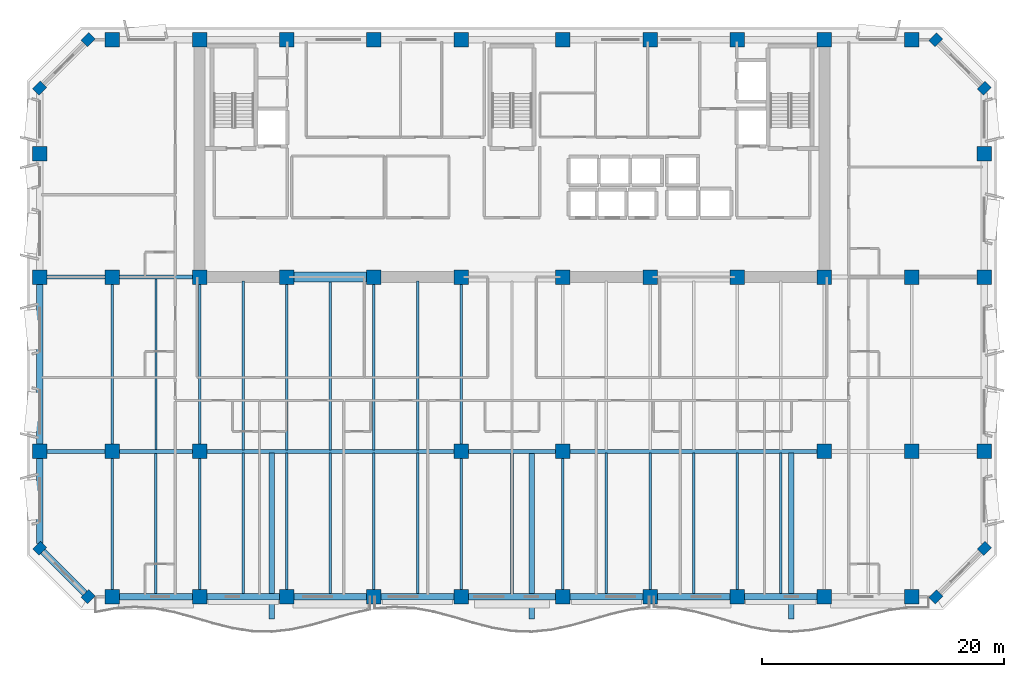
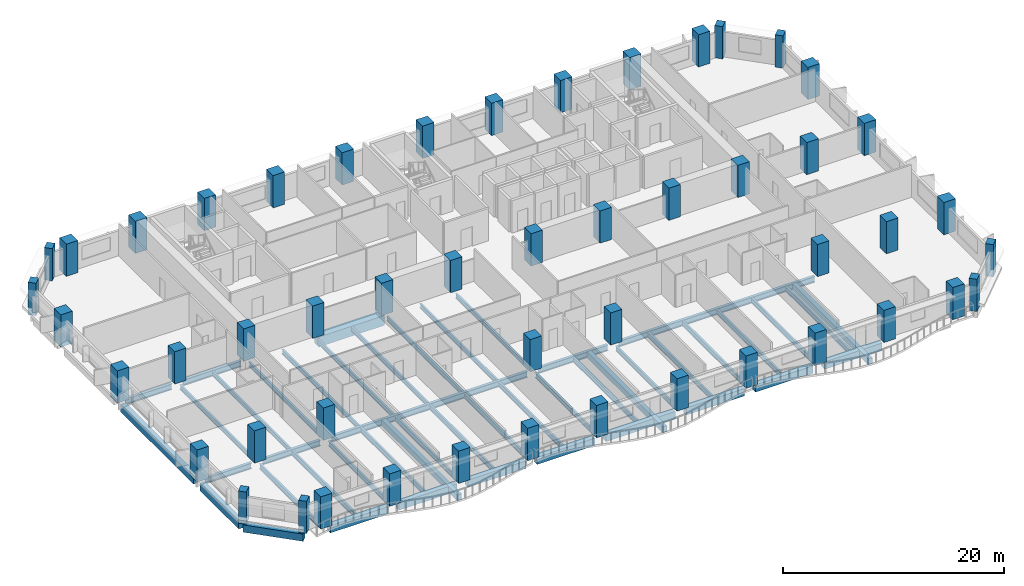
# One storey, part 1 of 14: 50 columns, 47 beams.
"""IFC4 building model written with IfcOpenShell, lengths in metres."""

from ifc_helpers import new_model, si_unit, direction, frame, origin, origin_2d, place, context, subcontext, project, spatial, rectangle, i_section, extrude, material, material_profile, profile_set, type_object, element, save


model = new_model("IFC4")

# Units and contexts
model_context = context("Model", 3, precision=1e-05, world=origin(), true_north=direction((0.0, 1.0)))
body_context = subcontext(model_context, "Body", "Model", "MODEL_VIEW")
ifc_project = project(units=[si_unit("LENGTHUNIT", "METRE"), si_unit("AREAUNIT", "SQUARE_METRE"), si_unit("VOLUMEUNIT", "CUBIC_METRE"), si_unit("PLANEANGLEUNIT", "RADIAN"), si_unit("MASSUNIT", "GRAM", prefix="KILO")], contexts=[model_context])

# Site, building, storey
site_placement = place(None, origin())
site = spatial("IfcSite", under=ifc_project, at=site_placement, CompositionType="ELEMENT")
building_placement = place(site_placement, origin())
building = spatial("IfcBuilding", under=site, at=building_placement, Name="Kaelvorn Grand Hotel", CompositionType="ELEMENT")
storey_placement = place(building_placement, frame((0.0, 0.0, 165.75)))
storey = spatial("IfcBuildingStorey", under=building, at=storey_placement, Name="L40", CompositionType="ELEMENT", Elevation=165.75)

# Columns
ifc_material_1 = material(Name="Concrete C60/75", Category="concrete")
ifc_material_profile_1 = material_profile(ifc_material_1, rectangle(XDim=0.89990234375, YDim=0.75, at=origin_2d()), Name="RC PILASTER 900x750")
ifc_profile_set_1 = profile_set([ifc_material_profile_1], Name="Concrete C60/75")
column_type_1 = type_object("IfcColumnType", Name="COL-PIL-900x750-C60", PredefinedType="PILASTER", material=ifc_profile_set_1)
for number, where, z_axis, x_axis, name in (
    (1, (7.0, 3.0, 0.0), (0.0, 0.0, 1.0), (0.707106781187, 0.707106781187, 0.0), "L40 Structural Column CH-01"),
    (2, (77.0, 3.0, 0.0), (0.0, 0.0, 1.0), (0.707106781187, 0.707106781187, 0.0), "L40 Structural Column CH-02"),
    (3, (81.0, 7.0, 0.0), (0.0, 0.0, 1.0), (0.707106781187, 0.707106781187, 0.0), "L40 Structural Column CH-03"),
    (4, (81.0, 45.0, 0.0), (0.0, 0.0, 1.0), (0.707106781187, 0.707106781187, 0.0), "L40 Structural Column CH-04"),
    (5, (77.0, 49.0, 0.0), (0.0, 0.0, 1.0), (0.707106781187, 0.707106781187, 0.0), "L40 Structural Column CH-05"),
    (6, (7.0, 49.0, 0.0), (0.0, 0.0, 1.0), (0.707106781187, 0.707106781187, 0.0), "L40 Structural Column CH-06"),
    (7, (3.0, 45.0, 0.0), (0.0, 0.0, 1.0), (0.707106781187, 0.707106781187, 0.0), "L40 Structural Column CH-07"),
    (8, (3.0, 7.0, 0.0), (0.0, 0.0, 1.0), (0.707106781187, 0.707106781187, 0.0), "L40 Structural Column CH-08"),
):
    element("IfcColumn", number, at=place(storey_placement, frame(where, z_axis=z_axis, x_axis=x_axis)), inside=storey, type_object=column_type_1, Name=name, PredefinedType="PILASTER", context=body_context, shape_type="SweptSolid", body=[
        extrude(rectangle(XDim=0.89990234375, YDim=0.75, at=origin_2d()), origin(), (0.0, 0.0, 1.0), 3.56005859375),
    ])
ifc_material_profile_2 = material_profile(ifc_material_1, rectangle(XDim=1.199951171875, YDim=1.199951171875, at=origin_2d()), Name="RC COL 1200x1200")
ifc_profile_set_2 = profile_set([ifc_material_profile_2], Name="Concrete C60/75")
column_type_2 = type_object("IfcColumnType", Name="COL-RC-1200-C60", PredefinedType="COLUMN", material=ifc_profile_set_2)
for number, where, z_axis, x_axis, name in (
    (9, (9.0, 3.0, 0.0), (0.0, 0.0, 1.0), (1.0, 0.0, 0.0), "L40 Structural Column S-01"),
    (10, (16.199951171875, 3.0, 0.0), (0.0, 0.0, 1.0), (1.0, 0.0, 0.0), "L40 Structural Column S-02"),
    (11, (23.39990234375, 3.0, 0.0), (0.0, 0.0, 1.0), (1.0, 0.0, 0.0), "L40 Structural Column S-03"),
    (12, (30.60009765625, 3.0, 0.0), (0.0, 0.0, 1.0), (1.0, 0.0, 0.0), "L40 Structural Column S-04"),
    (13, (37.800048828125, 3.0, 0.0), (0.0, 0.0, 1.0), (1.0, 0.0, 0.0), "L40 Structural Column S-05"),
    (14, (46.199951171875, 3.0, 0.0), (0.0, 0.0, 1.0), (1.0, 0.0, 0.0), "L40 Structural Column S-06"),
    (15, (53.39990234375, 3.0, 0.0), (0.0, 0.0, 1.0), (1.0, 0.0, 0.0), "L40 Structural Column S-07"),
    (16, (60.60009765625, 3.0, 0.0), (0.0, 0.0, 1.0), (1.0, 0.0, 0.0), "L40 Structural Column S-08"),
    (17, (67.800048828125, 3.0, 0.0), (0.0, 0.0, 1.0), (1.0, 0.0, 0.0), "L40 Structural Column S-09"),
    (18, (75.0, 3.0, 0.0), (0.0, 0.0, 1.0), (1.0, 0.0, 0.0), "L40 Structural Column S-10"),
    (19, (3.0, 15.0, 0.0), (0.0, 0.0, 1.0), (1.0, 0.0, 0.0), "L40 Structural Column W-01"),
    (20, (81.0, 15.0, 0.0), (0.0, 0.0, 1.0), (1.0, 0.0, 0.0), "L40 Structural Column E-01"),
    (21, (3.0, 29.39990234375, 0.0), (0.0, 0.0, 1.0), (1.0, 0.0, 0.0), "L40 Structural Column W-02"),
    (22, (81.0, 29.39990234375, 0.0), (0.0, 0.0, 1.0), (1.0, 0.0, 0.0), "L40 Structural Column E-02"),
    (23, (3.0, 39.60009765625, 0.0), (0.0, 0.0, 1.0), (1.0, 0.0, 0.0), "L40 Structural Column W-03"),
    (24, (81.0, 39.60009765625, 0.0), (0.0, 0.0, 1.0), (1.0, 0.0, 0.0), "L40 Structural Column E-03"),
    (25, (9.0, 15.0, 0.0), (0.0, 0.0, 1.0), (1.0, 0.0, 0.0), "L40 Structural Column M-01"),
    (26, (16.199951171875, 15.0, 0.0), (0.0, 0.0, 1.0), (1.0, 0.0, 0.0), "L40 Structural Column M-02"),
    (27, (37.800048828125, 15.0, 0.0), (0.0, 0.0, 1.0), (1.0, 0.0, 0.0), "L40 Structural Column M-03"),
    (28, (46.199951171875, 15.0, 0.0), (0.0, 0.0, 1.0), (1.0, 0.0, 0.0), "L40 Structural Column M-04"),
    (29, (67.800048828125, 15.0, 0.0), (0.0, 0.0, 1.0), (1.0, 0.0, 0.0), "L40 Structural Column M-05"),
    (30, (75.0, 15.0, 0.0), (0.0, 0.0, 1.0), (1.0, 0.0, 0.0), "L40 Structural Column M-06"),
    (31, (9.0, 29.39990234375, 0.0), (0.0, 0.0, 1.0), (1.0, 0.0, 0.0), "L40 Structural Column CR1-01"),
    (32, (9.0, 49.0, 0.0), (0.0, 0.0, 1.0), (1.0, 0.0, 0.0), "L40 Structural Column CR2-01"),
    (33, (16.199951171875, 29.39990234375, 0.0), (0.0, 0.0, 1.0), (1.0, 0.0, 0.0), "L40 Structural Column CR1-02"),
    (34, (16.199951171875, 49.0, 0.0), (0.0, 0.0, 1.0), (1.0, 0.0, 0.0), "L40 Structural Column CR2-02"),
    (35, (23.39990234375, 29.39990234375, 0.0), (0.0, 0.0, 1.0), (1.0, 0.0, 0.0), "L40 Structural Column CR1-03"),
    (36, (23.39990234375, 49.0, 0.0), (0.0, 0.0, 1.0), (1.0, 0.0, 0.0), "L40 Structural Column CR2-03"),
    (37, (30.60009765625, 29.39990234375, 0.0), (0.0, 0.0, 1.0), (1.0, 0.0, 0.0), "L40 Structural Column CR1-04"),
    (38, (30.60009765625, 49.0, 0.0), (0.0, 0.0, 1.0), (1.0, 0.0, 0.0), "L40 Structural Column CR2-04"),
    (39, (37.800048828125, 29.39990234375, 0.0), (0.0, 0.0, 1.0), (1.0, 0.0, 0.0), "L40 Structural Column CR1-05"),
    (40, (37.800048828125, 49.0, 0.0), (0.0, 0.0, 1.0), (1.0, 0.0, 0.0), "L40 Structural Column CR2-05"),
    (41, (46.199951171875, 29.39990234375, 0.0), (0.0, 0.0, 1.0), (1.0, 0.0, 0.0), "L40 Structural Column CR1-06"),
    (42, (46.199951171875, 49.0, 0.0), (0.0, 0.0, 1.0), (1.0, 0.0, 0.0), "L40 Structural Column CR2-06"),
    (43, (53.39990234375, 29.39990234375, 0.0), (0.0, 0.0, 1.0), (1.0, 0.0, 0.0), "L40 Structural Column CR1-07"),
    (44, (53.39990234375, 49.0, 0.0), (0.0, 0.0, 1.0), (1.0, 0.0, 0.0), "L40 Structural Column CR2-07"),
    (45, (60.60009765625, 29.39990234375, 0.0), (0.0, 0.0, 1.0), (1.0, 0.0, 0.0), "L40 Structural Column CR1-08"),
    (46, (60.60009765625, 49.0, 0.0), (0.0, 0.0, 1.0), (1.0, 0.0, 0.0), "L40 Structural Column CR2-08"),
    (47, (67.800048828125, 29.39990234375, 0.0), (0.0, 0.0, 1.0), (1.0, 0.0, 0.0), "L40 Structural Column CR1-09"),
    (48, (67.800048828125, 49.0, 0.0), (0.0, 0.0, 1.0), (1.0, 0.0, 0.0), "L40 Structural Column CR2-09"),
    (49, (75.0, 29.39990234375, 0.0), (0.0, 0.0, 1.0), (1.0, 0.0, 0.0), "L40 Structural Column CR1-10"),
    (50, (75.0, 49.0, 0.0), (0.0, 0.0, 1.0), (1.0, 0.0, 0.0), "L40 Structural Column CR2-10"),
):
    element("IfcColumn", number, at=place(storey_placement, frame(where, z_axis=z_axis, x_axis=x_axis)), inside=storey, type_object=column_type_2, Name=name, PredefinedType="COLUMN", context=body_context, shape_type="SweptSolid", body=[
        extrude(rectangle(XDim=1.199951171875, YDim=1.199951171875, at=origin_2d()), origin(), (0.0, 0.0, 1.0), 3.56005859375),
    ])

# Beams
ifc_material_2 = material(Name="Steel S355", Category="steel")
ifc_material_profile_3 = material_profile(ifc_material_2, i_section(OverallWidth=0.300048828125, OverallDepth=0.64990234375, WebThickness=0.01611328125, FlangeThickness=0.031005859375, FilletRadius=0.027099609375, at=origin_2d()), Name="HEB 650")
ifc_profile_set_3 = profile_set([ifc_material_profile_3], Name="Steel S355")
beam_type_1 = type_object("IfcBeamType", Name="BM-G-HEB650-S355", PredefinedType="BEAM", material=ifc_profile_set_3)
beam_1_placement = place(storey_placement, frame((3.5849609375, 15.0, -0.56494140625), z_axis=(1.0, 0.0, 0.0), x_axis=(0.0, 1.0, 0.0)))
element("IfcBeam", 51, at=beam_1_placement, inside=storey, type_object=beam_type_1, Name="L40 Primary Spine Steel Girder G-15 01", PredefinedType="BEAM", context=body_context, shape_type="SweptSolid", body=[
    extrude(i_section(OverallWidth=0.300048828125, OverallDepth=0.64990234375, WebThickness=0.01611328125, FlangeThickness=0.031005859375, FilletRadius=0.027099609375, at=origin_2d()), origin(), (0.0, 0.0, 1.0), 4.830078125),
])
beam_2_placement = place(storey_placement, frame((9.5849609375, 15.0, -0.56494140625), z_axis=(1.0, 0.0, 0.0), x_axis=(0.0, 1.0, 0.0)))
element("IfcBeam", 52, at=beam_2_placement, inside=storey, type_object=beam_type_1, Name="L40 Primary Spine Steel Girder G-15 02", PredefinedType="BEAM", context=body_context, shape_type="SweptSolid", body=[
    extrude(i_section(OverallWidth=0.300048828125, OverallDepth=0.64990234375, WebThickness=0.01611328125, FlangeThickness=0.031005859375, FilletRadius=0.027099609375, at=origin_2d()), origin(), (0.0, 0.0, 1.0), 6.030029296875),
])
beam_3_placement = place(storey_placement, frame((16.784912109375, 15.0, -0.56494140625), z_axis=(1.0, 0.0, 0.0), x_axis=(0.0, 1.0, 0.0)))
element("IfcBeam", 53, at=beam_3_placement, inside=storey, type_object=beam_type_1, Name="L40 Primary Spine Steel Girder G-15 03", PredefinedType="BEAM", context=body_context, shape_type="SweptSolid", body=[
    extrude(i_section(OverallWidth=0.300048828125, OverallDepth=0.64990234375, WebThickness=0.01611328125, FlangeThickness=0.031005859375, FilletRadius=0.027099609375, at=origin_2d()), origin(), (0.0, 0.0, 1.0), 20.43017578125),
])
beam_4_placement = place(storey_placement, frame((38.385009765625, 15.0, -0.56494140625), z_axis=(1.0, 0.0, 0.0), x_axis=(0.0, 1.0, 0.0)))
element("IfcBeam", 54, at=beam_4_placement, inside=storey, type_object=beam_type_1, Name="L40 Primary Spine Steel Girder G-15 04", PredefinedType="BEAM", context=body_context, shape_type="SweptSolid", body=[
    extrude(i_section(OverallWidth=0.300048828125, OverallDepth=0.64990234375, WebThickness=0.01611328125, FlangeThickness=0.031005859375, FilletRadius=0.027099609375, at=origin_2d()), origin(), (0.0, 0.0, 1.0), 7.22998046875),
])
beam_5_placement = place(storey_placement, frame((46.784912109375, 15.0, -0.56494140625), z_axis=(1.0, 0.0, 0.0), x_axis=(0.0, 1.0, 0.0)))
element("IfcBeam", 55, at=beam_5_placement, inside=storey, type_object=beam_type_1, Name="L40 Primary Spine Steel Girder G-15 05", PredefinedType="BEAM", context=body_context, shape_type="SweptSolid", body=[
    extrude(i_section(OverallWidth=0.300048828125, OverallDepth=0.64990234375, WebThickness=0.01611328125, FlangeThickness=0.031005859375, FilletRadius=0.027099609375, at=origin_2d()), origin(), (0.0, 0.0, 1.0), 20.43017578125),
])
beam_6_placement = place(storey_placement, frame((3.5849609375, 29.39990234375, -0.56494140625), z_axis=(1.0, 0.0, 0.0), x_axis=(0.0, 1.0, 0.0)))
element("IfcBeam", 56, at=beam_6_placement, inside=storey, type_object=beam_type_1, Name="L40 West Core Wing Steel Girder G-29W 01", PredefinedType="BEAM", context=body_context, shape_type="SweptSolid", body=[
    extrude(i_section(OverallWidth=0.300048828125, OverallDepth=0.64990234375, WebThickness=0.01611328125, FlangeThickness=0.031005859375, FilletRadius=0.027099609375, at=origin_2d()), origin(), (0.0, 0.0, 1.0), 4.830078125),
])
beam_7_placement = place(storey_placement, frame((9.5849609375, 29.39990234375, -0.56494140625), z_axis=(1.0, 0.0, 0.0), x_axis=(0.0, 1.0, 0.0)))
element("IfcBeam", 57, at=beam_7_placement, inside=storey, type_object=beam_type_1, Name="L40 West Core Wing Steel Girder G-29W 02", PredefinedType="BEAM", context=body_context, shape_type="SweptSolid", body=[
    extrude(i_section(OverallWidth=0.300048828125, OverallDepth=0.64990234375, WebThickness=0.01611328125, FlangeThickness=0.031005859375, FilletRadius=0.027099609375, at=origin_2d()), origin(), (0.0, 0.0, 1.0), 6.030029296875),
])
ifc_material_profile_4 = material_profile(ifc_material_2, i_section(OverallWidth=0.199951171875, OverallDepth=0.5, WebThickness=0.01025390625, FlangeThickness=0.01611328125, FilletRadius=0.02099609375, at=origin_2d()), Name="IPE 500")
ifc_profile_set_4 = profile_set([ifc_material_profile_4], Name="Steel S355")
beam_type_2 = type_object("IfcBeamType", Name="BM-J-IPE500-S355", PredefinedType="JOIST", material=ifc_profile_set_4)
beam_8_placement = place(storey_placement, frame((9.0, 15.5849609375, -0.489990234375), z_axis=(0.0, 1.0, 0.0), x_axis=(-1.0, 0.0, 0.0)))
element("IfcBeam", 58, at=beam_8_placement, inside=storey, type_object=beam_type_2, Name="L40 Composite Floor Joist JM-03", PredefinedType="JOIST", context=body_context, shape_type="SweptSolid", body=[
    extrude(i_section(OverallWidth=0.199951171875, OverallDepth=0.5, WebThickness=0.01025390625, FlangeThickness=0.01611328125, FilletRadius=0.02099609375, at=origin_2d()), origin(), (0.0, 0.0, 1.0), 13.22998046875),
])
beam_9_placement = place(storey_placement, frame((12.60009765625, 15.135009765625, -0.489990234375), z_axis=(0.0, 1.0, 0.0), x_axis=(-1.0, 0.0, 0.0)))
element("IfcBeam", 59, at=beam_9_placement, inside=storey, type_object=beam_type_2, Name="L40 Composite Floor Joist JM-04", PredefinedType="JOIST", context=body_context, shape_type="SweptSolid", body=[
    extrude(i_section(OverallWidth=0.199951171875, OverallDepth=0.5, WebThickness=0.01025390625, FlangeThickness=0.01611328125, FilletRadius=0.02099609375, at=origin_2d()), origin(), (0.0, 0.0, 1.0), 14.1298828125),
])
beam_10_placement = place(storey_placement, frame((16.199951171875, 15.5849609375, -0.489990234375), z_axis=(0.0, 1.0, 0.0), x_axis=(-1.0, 0.0, 0.0)))
element("IfcBeam", 60, at=beam_10_placement, inside=storey, type_object=beam_type_2, Name="L40 Composite Floor Joist JM-05", PredefinedType="JOIST", context=body_context, shape_type="SweptSolid", body=[
    extrude(i_section(OverallWidth=0.199951171875, OverallDepth=0.5, WebThickness=0.01025390625, FlangeThickness=0.01611328125, FilletRadius=0.02099609375, at=origin_2d()), origin(), (0.0, 0.0, 1.0), 13.22998046875),
])
beam_11_placement = place(storey_placement, frame((19.800048828125, 15.135009765625, -0.489990234375), z_axis=(0.0, 1.0, 0.0), x_axis=(-1.0, 0.0, 0.0)))
element("IfcBeam", 61, at=beam_11_placement, inside=storey, type_object=beam_type_2, Name="L40 Composite Floor Joist JM-06", PredefinedType="JOIST", context=body_context, shape_type="SweptSolid", body=[
    extrude(i_section(OverallWidth=0.199951171875, OverallDepth=0.5, WebThickness=0.01025390625, FlangeThickness=0.01611328125, FilletRadius=0.02099609375, at=origin_2d()), origin(), (0.0, 0.0, 1.0), 13.925048828125),
])
beam_12_placement = place(storey_placement, frame((23.39990234375, 15.135009765625, -0.489990234375), z_axis=(0.0, 1.0, 0.0), x_axis=(-1.0, 0.0, 0.0)))
element("IfcBeam", 62, at=beam_12_placement, inside=storey, type_object=beam_type_2, Name="L40 Composite Floor Joist JM-07", PredefinedType="JOIST", context=body_context, shape_type="SweptSolid", body=[
    extrude(i_section(OverallWidth=0.199951171875, OverallDepth=0.5, WebThickness=0.01025390625, FlangeThickness=0.01611328125, FilletRadius=0.02099609375, at=origin_2d()), origin(), (0.0, 0.0, 1.0), 13.679931640625),
])
beam_13_placement = place(storey_placement, frame((27.0, 15.135009765625, -0.489990234375), z_axis=(0.0, 1.0, 0.0), x_axis=(-1.0, 0.0, 0.0)))
element("IfcBeam", 63, at=beam_13_placement, inside=storey, type_object=beam_type_2, Name="L40 Composite Floor Joist JM-08", PredefinedType="JOIST", context=body_context, shape_type="SweptSolid", body=[
    extrude(i_section(OverallWidth=0.199951171875, OverallDepth=0.5, WebThickness=0.01025390625, FlangeThickness=0.01611328125, FilletRadius=0.02099609375, at=origin_2d()), origin(), (0.0, 0.0, 1.0), 13.925048828125),
])
beam_14_placement = place(storey_placement, frame((30.60009765625, 15.135009765625, -0.489990234375), z_axis=(0.0, 1.0, 0.0), x_axis=(-1.0, 0.0, 0.0)))
element("IfcBeam", 64, at=beam_14_placement, inside=storey, type_object=beam_type_2, Name="L40 Composite Floor Joist JM-09", PredefinedType="JOIST", context=body_context, shape_type="SweptSolid", body=[
    extrude(i_section(OverallWidth=0.199951171875, OverallDepth=0.5, WebThickness=0.01025390625, FlangeThickness=0.01611328125, FilletRadius=0.02099609375, at=origin_2d()), origin(), (0.0, 0.0, 1.0), 13.679931640625),
])
beam_15_placement = place(storey_placement, frame((34.199951171875, 15.135009765625, -0.489990234375), z_axis=(0.0, 1.0, 0.0), x_axis=(-1.0, 0.0, 0.0)))
element("IfcBeam", 65, at=beam_15_placement, inside=storey, type_object=beam_type_2, Name="L40 Composite Floor Joist JM-10", PredefinedType="JOIST", context=body_context, shape_type="SweptSolid", body=[
    extrude(i_section(OverallWidth=0.199951171875, OverallDepth=0.5, WebThickness=0.01025390625, FlangeThickness=0.01611328125, FilletRadius=0.02099609375, at=origin_2d()), origin(), (0.0, 0.0, 1.0), 13.925048828125),
])
beam_16_placement = place(storey_placement, frame((37.800048828125, 15.5849609375, -0.489990234375), z_axis=(0.0, 1.0, 0.0), x_axis=(-1.0, 0.0, 0.0)))
element("IfcBeam", 66, at=beam_16_placement, inside=storey, type_object=beam_type_2, Name="L40 Composite Floor Joist JM-11", PredefinedType="JOIST", context=body_context, shape_type="SweptSolid", body=[
    extrude(i_section(OverallWidth=0.199951171875, OverallDepth=0.5, WebThickness=0.01025390625, FlangeThickness=0.01611328125, FilletRadius=0.02099609375, at=origin_2d()), origin(), (0.0, 0.0, 1.0), 13.22998046875),
])
ifc_material_profile_5 = material_profile(ifc_material_2, i_section(OverallWidth=0.2099609375, OverallDepth=0.550048828125, WebThickness=0.010986328125, FlangeThickness=0.01708984375, FilletRadius=0.02392578125, at=origin_2d()), Name="IPE 550")
ifc_profile_set_5 = profile_set([ifc_material_profile_5], Name="Steel S355")
beam_type_3 = type_object("IfcBeamType", Name="BM-J-IPE550-S355", PredefinedType="JOIST", material=ifc_profile_set_5)
beam_17_placement = place(storey_placement, frame((9.0, 3.5849609375, -0.514892578125), z_axis=(0.0, 1.0, 0.0), x_axis=(-1.0, 0.0, 0.0)))
element("IfcBeam", 67, at=beam_17_placement, inside=storey, type_object=beam_type_3, Name="L40 Composite Floor Joist JS-03", PredefinedType="JOIST", context=body_context, shape_type="SweptSolid", body=[
    extrude(i_section(OverallWidth=0.2099609375, OverallDepth=0.550048828125, WebThickness=0.010986328125, FlangeThickness=0.01708984375, FilletRadius=0.02392578125, at=origin_2d()), origin(), (0.0, 0.0, 1.0), 10.830078125),
])
beam_18_placement = place(storey_placement, frame((12.60009765625, 3.260009765625, -0.514892578125), z_axis=(0.0, 1.0, 0.0), x_axis=(-1.0, 0.0, 0.0)))
element("IfcBeam", 68, at=beam_18_placement, inside=storey, type_object=beam_type_3, Name="L40 Composite Floor Joist JS-04", PredefinedType="JOIST", context=body_context, shape_type="SweptSolid", body=[
    extrude(i_section(OverallWidth=0.2099609375, OverallDepth=0.550048828125, WebThickness=0.010986328125, FlangeThickness=0.01708984375, FilletRadius=0.02392578125, at=origin_2d()), origin(), (0.0, 0.0, 1.0), 11.60498046875),
])
beam_19_placement = place(storey_placement, frame((16.199951171875, 3.5849609375, -0.514892578125), z_axis=(0.0, 1.0, 0.0), x_axis=(-1.0, 0.0, 0.0)))
element("IfcBeam", 69, at=beam_19_placement, inside=storey, type_object=beam_type_3, Name="L40 Composite Floor Joist JS-05", PredefinedType="JOIST", context=body_context, shape_type="SweptSolid", body=[
    extrude(i_section(OverallWidth=0.2099609375, OverallDepth=0.550048828125, WebThickness=0.010986328125, FlangeThickness=0.01708984375, FilletRadius=0.02392578125, at=origin_2d()), origin(), (0.0, 0.0, 1.0), 10.830078125),
])
beam_20_placement = place(storey_placement, frame((19.800048828125, 3.260009765625, -0.514892578125), z_axis=(0.0, 1.0, 0.0), x_axis=(-1.0, 0.0, 0.0)))
element("IfcBeam", 70, at=beam_20_placement, inside=storey, type_object=beam_type_3, Name="L40 Composite Floor Joist JS-06", PredefinedType="JOIST", context=body_context, shape_type="SweptSolid", body=[
    extrude(i_section(OverallWidth=0.2099609375, OverallDepth=0.550048828125, WebThickness=0.010986328125, FlangeThickness=0.01708984375, FilletRadius=0.02392578125, at=origin_2d()), origin(), (0.0, 0.0, 1.0), 11.60498046875),
])
beam_21_placement = place(storey_placement, frame((23.39990234375, 3.5849609375, -0.514892578125), z_axis=(0.0, 1.0, 0.0), x_axis=(-1.0, 0.0, 0.0)))
element("IfcBeam", 71, at=beam_21_placement, inside=storey, type_object=beam_type_3, Name="L40 Composite Floor Joist JS-07", PredefinedType="JOIST", context=body_context, shape_type="SweptSolid", body=[
    extrude(i_section(OverallWidth=0.2099609375, OverallDepth=0.550048828125, WebThickness=0.010986328125, FlangeThickness=0.01708984375, FilletRadius=0.02392578125, at=origin_2d()), origin(), (0.0, 0.0, 1.0), 11.280029296875),
])
beam_22_placement = place(storey_placement, frame((27.0, 3.260009765625, -0.514892578125), z_axis=(0.0, 1.0, 0.0), x_axis=(-1.0, 0.0, 0.0)))
element("IfcBeam", 72, at=beam_22_placement, inside=storey, type_object=beam_type_3, Name="L40 Composite Floor Joist JS-08", PredefinedType="JOIST", context=body_context, shape_type="SweptSolid", body=[
    extrude(i_section(OverallWidth=0.2099609375, OverallDepth=0.550048828125, WebThickness=0.010986328125, FlangeThickness=0.01708984375, FilletRadius=0.02392578125, at=origin_2d()), origin(), (0.0, 0.0, 1.0), 11.60498046875),
])
beam_23_placement = place(storey_placement, frame((30.60009765625, 3.5849609375, -0.514892578125), z_axis=(0.0, 1.0, 0.0), x_axis=(-1.0, 0.0, 0.0)))
element("IfcBeam", 73, at=beam_23_placement, inside=storey, type_object=beam_type_3, Name="L40 Composite Floor Joist JS-09", PredefinedType="JOIST", context=body_context, shape_type="SweptSolid", body=[
    extrude(i_section(OverallWidth=0.2099609375, OverallDepth=0.550048828125, WebThickness=0.010986328125, FlangeThickness=0.01708984375, FilletRadius=0.02392578125, at=origin_2d()), origin(), (0.0, 0.0, 1.0), 11.280029296875),
])
beam_24_placement = place(storey_placement, frame((34.199951171875, 3.260009765625, -0.514892578125), z_axis=(0.0, 1.0, 0.0), x_axis=(-1.0, 0.0, 0.0)))
element("IfcBeam", 74, at=beam_24_placement, inside=storey, type_object=beam_type_3, Name="L40 Composite Floor Joist JS-10", PredefinedType="JOIST", context=body_context, shape_type="SweptSolid", body=[
    extrude(i_section(OverallWidth=0.2099609375, OverallDepth=0.550048828125, WebThickness=0.010986328125, FlangeThickness=0.01708984375, FilletRadius=0.02392578125, at=origin_2d()), origin(), (0.0, 0.0, 1.0), 11.60498046875),
])
beam_25_placement = place(storey_placement, frame((37.800048828125, 3.5849609375, -0.514892578125), z_axis=(0.0, 1.0, 0.0), x_axis=(-1.0, 0.0, 0.0)))
element("IfcBeam", 75, at=beam_25_placement, inside=storey, type_object=beam_type_3, Name="L40 Composite Floor Joist JS-11", PredefinedType="JOIST", context=body_context, shape_type="SweptSolid", body=[
    extrude(i_section(OverallWidth=0.2099609375, OverallDepth=0.550048828125, WebThickness=0.010986328125, FlangeThickness=0.01708984375, FilletRadius=0.02392578125, at=origin_2d()), origin(), (0.0, 0.0, 1.0), 10.830078125),
])
beam_26_placement = place(storey_placement, frame((42.0, 3.260009765625, -0.514892578125), z_axis=(0.0, 1.0, 0.0), x_axis=(-1.0, 0.0, 0.0)))
element("IfcBeam", 76, at=beam_26_placement, inside=storey, type_object=beam_type_3, Name="L40 Composite Floor Joist JS-12", PredefinedType="JOIST", context=body_context, shape_type="SweptSolid", body=[
    extrude(i_section(OverallWidth=0.2099609375, OverallDepth=0.550048828125, WebThickness=0.010986328125, FlangeThickness=0.01708984375, FilletRadius=0.02392578125, at=origin_2d()), origin(), (0.0, 0.0, 1.0), 11.60498046875),
])
beam_27_placement = place(storey_placement, frame((46.199951171875, 3.5849609375, -0.514892578125), z_axis=(0.0, 1.0, 0.0), x_axis=(-1.0, 0.0, 0.0)))
element("IfcBeam", 77, at=beam_27_placement, inside=storey, type_object=beam_type_3, Name="L40 Composite Floor Joist JS-13", PredefinedType="JOIST", context=body_context, shape_type="SweptSolid", body=[
    extrude(i_section(OverallWidth=0.2099609375, OverallDepth=0.550048828125, WebThickness=0.010986328125, FlangeThickness=0.01708984375, FilletRadius=0.02392578125, at=origin_2d()), origin(), (0.0, 0.0, 1.0), 10.830078125),
])
beam_28_placement = place(storey_placement, frame((49.800048828125, 3.260009765625, -0.514892578125), z_axis=(0.0, 1.0, 0.0), x_axis=(-1.0, 0.0, 0.0)))
element("IfcBeam", 78, at=beam_28_placement, inside=storey, type_object=beam_type_3, Name="L40 Composite Floor Joist JS-14", PredefinedType="JOIST", context=body_context, shape_type="SweptSolid", body=[
    extrude(i_section(OverallWidth=0.2099609375, OverallDepth=0.550048828125, WebThickness=0.010986328125, FlangeThickness=0.01708984375, FilletRadius=0.02392578125, at=origin_2d()), origin(), (0.0, 0.0, 1.0), 11.60498046875),
])
beam_29_placement = place(storey_placement, frame((53.39990234375, 3.5849609375, -0.514892578125), z_axis=(0.0, 1.0, 0.0), x_axis=(-1.0, 0.0, 0.0)))
element("IfcBeam", 79, at=beam_29_placement, inside=storey, type_object=beam_type_3, Name="L40 Composite Floor Joist JS-15", PredefinedType="JOIST", context=body_context, shape_type="SweptSolid", body=[
    extrude(i_section(OverallWidth=0.2099609375, OverallDepth=0.550048828125, WebThickness=0.010986328125, FlangeThickness=0.01708984375, FilletRadius=0.02392578125, at=origin_2d()), origin(), (0.0, 0.0, 1.0), 11.280029296875),
])
beam_30_placement = place(storey_placement, frame((57.0, 3.260009765625, -0.514892578125), z_axis=(0.0, 1.0, 0.0), x_axis=(-1.0, 0.0, 0.0)))
element("IfcBeam", 80, at=beam_30_placement, inside=storey, type_object=beam_type_3, Name="L40 Composite Floor Joist JS-16", PredefinedType="JOIST", context=body_context, shape_type="SweptSolid", body=[
    extrude(i_section(OverallWidth=0.2099609375, OverallDepth=0.550048828125, WebThickness=0.010986328125, FlangeThickness=0.01708984375, FilletRadius=0.02392578125, at=origin_2d()), origin(), (0.0, 0.0, 1.0), 11.60498046875),
])
beam_31_placement = place(storey_placement, frame((60.60009765625, 3.5849609375, -0.514892578125), z_axis=(0.0, 1.0, 0.0), x_axis=(-1.0, 0.0, 0.0)))
element("IfcBeam", 81, at=beam_31_placement, inside=storey, type_object=beam_type_3, Name="L40 Composite Floor Joist JS-17", PredefinedType="JOIST", context=body_context, shape_type="SweptSolid", body=[
    extrude(i_section(OverallWidth=0.2099609375, OverallDepth=0.550048828125, WebThickness=0.010986328125, FlangeThickness=0.01708984375, FilletRadius=0.02392578125, at=origin_2d()), origin(), (0.0, 0.0, 1.0), 11.280029296875),
])
beam_32_placement = place(storey_placement, frame((64.199951171875, 3.260009765625, -0.514892578125), z_axis=(0.0, 1.0, 0.0), x_axis=(-1.0, 0.0, 0.0)))
element("IfcBeam", 82, at=beam_32_placement, inside=storey, type_object=beam_type_3, Name="L40 Composite Floor Joist JS-18", PredefinedType="JOIST", context=body_context, shape_type="SweptSolid", body=[
    extrude(i_section(OverallWidth=0.2099609375, OverallDepth=0.550048828125, WebThickness=0.010986328125, FlangeThickness=0.01708984375, FilletRadius=0.02392578125, at=origin_2d()), origin(), (0.0, 0.0, 1.0), 11.60498046875),
])
ifc_material_profile_6 = material_profile(ifc_material_1, rectangle(XDim=0.800048828125, YDim=1.10009765625, at=origin_2d()), Name="RC LINTEL 800x1100")
ifc_profile_set_6 = profile_set([ifc_material_profile_6], Name="Concrete C60/75")
beam_type_4 = type_object("IfcBeamType", Name="BM-LIN-800x1100-C60", PredefinedType="LINTEL", material=ifc_profile_set_6)
beam_33_placement = place(storey_placement, frame((23.580078125, 29.39990234375, -0.7900390625), z_axis=(1.0, 0.0, 0.0), x_axis=(0.0, 1.0, 0.0)))
element("IfcBeam", 83, at=beam_33_placement, inside=storey, type_object=beam_type_4, Name="L40 Rear-Core Coupling Lintel Beam CB1-01", PredefinedType="LINTEL", context=body_context, shape_type="SweptSolid", body=[
    extrude(rectangle(XDim=0.800048828125, YDim=1.10009765625, at=origin_2d()), origin(), (0.0, 0.0, 1.0), 6.83984375),
])
ifc_material_3 = material(Name="Concrete C40/50", Category="concrete")
ifc_material_profile_7 = material_profile(ifc_material_3, rectangle(XDim=0.449951171875, YDim=0.64990234375, at=origin_2d()), Name="RC RIB 450x650")
ifc_profile_set_7 = profile_set([ifc_material_profile_7], Name="Concrete C40/50")
beam_type_5 = type_object("IfcBeamType", Name="BM-RIB-450x650-C40", PredefinedType="SPANDREL", material=ifc_profile_set_7)
for number, where, z_axis, x_axis, name in (
    (84, (22.17138671875, 1.14990234375, -0.544921875), (0.0, 1.0, 0.0), (-1.0, 0.0, 0.0), "L40 Cantilevered Balcony Back-Span Rib RB1-1"),
    (85, (43.618896484375, 1.14990234375, -0.544921875), (0.0, 1.0, 0.0), (-1.0, 0.0, 0.0), "L40 Cantilevered Balcony Back-Span Rib RB1-2"),
    (86, (65.066650390625, 1.14990234375, -0.544921875), (0.0, 1.0, 0.0), (-1.0, 0.0, 0.0), "L40 Cantilevered Balcony Back-Span Rib RB1-3"),
):
    element("IfcBeam", number, at=place(storey_placement, frame(where, z_axis=z_axis, x_axis=x_axis)), inside=storey, type_object=beam_type_5, Name=name, PredefinedType="SPANDREL", context=body_context, shape_type="SweptSolid", body=[
        extrude(rectangle(XDim=0.449951171875, YDim=0.64990234375, at=origin_2d()), origin(), (0.0, 0.0, 1.0), 13.715087890625),
    ])
ifc_material_4 = material(Name="Concrete C50/60", Category="concrete")
ifc_material_profile_8 = material_profile(ifc_material_4, rectangle(XDim=0.550048828125, YDim=0.800048828125, at=origin_2d()), Name="RC SPANDREL 550x800")
ifc_profile_set_8 = profile_set([ifc_material_profile_8], Name="Concrete C50/60")
beam_type_6 = type_object("IfcBeamType", Name="BM-SP-550x800-C50", PredefinedType="SPANDREL", material=ifc_profile_set_8)
for number, where, z_axis, x_axis, name in (
    (87, (9.5849609375, 3.0, -0.639892578125), (1.0, 0.0, 0.0), (0.0, 1.0, 0.0), "L40 South Perimeter Spandrel 02"),
    (88, (16.784912109375, 3.0, -0.639892578125), (1.0, 0.0, 0.0), (0.0, 1.0, 0.0), "L40 South Perimeter Spandrel 03"),
):
    element("IfcBeam", number, at=place(storey_placement, frame(where, z_axis=z_axis, x_axis=x_axis)), inside=storey, type_object=beam_type_6, Name=name, PredefinedType="SPANDREL", context=body_context, shape_type="SweptSolid", body=[
        extrude(rectangle(XDim=0.550048828125, YDim=0.800048828125, at=origin_2d()), origin(), (0.0, 0.0, 1.0), 6.030029296875),
    ])
beam_34_placement = place(storey_placement, frame((23.985107421875, 3.0, -0.639892578125), z_axis=(1.0, 0.0, 0.0), x_axis=(0.0, 1.0, 0.0)))
element("IfcBeam", 89, at=beam_34_placement, inside=storey, type_object=beam_type_6, Name="L40 South Perimeter Spandrel 04", PredefinedType="SPANDREL", context=body_context, shape_type="SweptSolid", body=[
    extrude(rectangle(XDim=0.550048828125, YDim=0.800048828125, at=origin_2d()), origin(), (0.0, 0.0, 1.0), 6.02978515625),
])
beam_35_placement = place(storey_placement, frame((31.18505859375, 3.0, -0.639892578125), z_axis=(1.0, 0.0, 0.0), x_axis=(0.0, 1.0, 0.0)))
element("IfcBeam", 90, at=beam_35_placement, inside=storey, type_object=beam_type_6, Name="L40 South Perimeter Spandrel 05", PredefinedType="SPANDREL", context=body_context, shape_type="SweptSolid", body=[
    extrude(rectangle(XDim=0.550048828125, YDim=0.800048828125, at=origin_2d()), origin(), (0.0, 0.0, 1.0), 6.030029296875),
])
beam_36_placement = place(storey_placement, frame((38.385009765625, 3.0, -0.639892578125), z_axis=(1.0, 0.0, 0.0), x_axis=(0.0, 1.0, 0.0)))
element("IfcBeam", 91, at=beam_36_placement, inside=storey, type_object=beam_type_6, Name="L40 South Perimeter Spandrel 06", PredefinedType="SPANDREL", context=body_context, shape_type="SweptSolid", body=[
    extrude(rectangle(XDim=0.550048828125, YDim=0.800048828125, at=origin_2d()), origin(), (0.0, 0.0, 1.0), 7.22998046875),
])
beam_37_placement = place(storey_placement, frame((46.784912109375, 3.0, -0.639892578125), z_axis=(1.0, 0.0, 0.0), x_axis=(0.0, 1.0, 0.0)))
element("IfcBeam", 92, at=beam_37_placement, inside=storey, type_object=beam_type_6, Name="L40 South Perimeter Spandrel 07", PredefinedType="SPANDREL", context=body_context, shape_type="SweptSolid", body=[
    extrude(rectangle(XDim=0.550048828125, YDim=0.800048828125, at=origin_2d()), origin(), (0.0, 0.0, 1.0), 6.030029296875),
])
beam_38_placement = place(storey_placement, frame((53.985107421875, 3.0, -0.639892578125), z_axis=(1.0, 0.0, 0.0), x_axis=(0.0, 1.0, 0.0)))
element("IfcBeam", 93, at=beam_38_placement, inside=storey, type_object=beam_type_6, Name="L40 South Perimeter Spandrel 08", PredefinedType="SPANDREL", context=body_context, shape_type="SweptSolid", body=[
    extrude(rectangle(XDim=0.550048828125, YDim=0.800048828125, at=origin_2d()), origin(), (0.0, 0.0, 1.0), 6.02978515625),
])
beam_39_placement = place(storey_placement, frame((61.18505859375, 3.0, -0.639892578125), z_axis=(1.0, 0.0, 0.0), x_axis=(0.0, 1.0, 0.0)))
element("IfcBeam", 94, at=beam_39_placement, inside=storey, type_object=beam_type_6, Name="L40 South Perimeter Spandrel 09", PredefinedType="SPANDREL", context=body_context, shape_type="SweptSolid", body=[
    extrude(rectangle(XDim=0.550048828125, YDim=0.800048828125, at=origin_2d()), origin(), (0.0, 0.0, 1.0), 6.030029296875),
])
beam_40_placement = place(storey_placement, frame((3.0, 7.405029296875, -0.639892578125), z_axis=(0.0, 1.0, 0.0), x_axis=(-1.0, 0.0, 0.0)))
element("IfcBeam", 95, at=beam_40_placement, inside=storey, type_object=beam_type_6, Name="L40 West Perimeter Spandrel 01", PredefinedType="SPANDREL", context=body_context, shape_type="SweptSolid", body=[
    extrude(rectangle(XDim=0.550048828125, YDim=0.800048828125, at=origin_2d()), origin(), (0.0, 0.0, 1.0), 7.010009765625),
])
beam_41_placement = place(storey_placement, frame((3.0, 15.5849609375, -0.639892578125), z_axis=(0.0, 1.0, 0.0), x_axis=(-1.0, 0.0, 0.0)))
element("IfcBeam", 96, at=beam_41_placement, inside=storey, type_object=beam_type_6, Name="L40 West Perimeter Spandrel 02", PredefinedType="SPANDREL", context=body_context, shape_type="SweptSolid", body=[
    extrude(rectangle(XDim=0.550048828125, YDim=0.800048828125, at=origin_2d()), origin(), (0.0, 0.0, 1.0), 13.22998046875),
])
beam_42_placement = place(storey_placement, frame((3.0, 7.0, -0.639892578125), z_axis=(0.707106781187, -0.707106781187, 0.0), x_axis=(0.707106781187, 0.707106781187, 0.0)))
element("IfcBeam", 97, at=beam_42_placement, inside=storey, type_object=beam_type_6, Name="L40 Chamfer Spandrel Beam 4", PredefinedType="SPANDREL", context=body_context, shape_type="SweptSolid", body=[
    extrude(rectangle(XDim=0.550048828125, YDim=0.800048828125, at=origin_2d()), origin(), (0.0, 0.0, 1.0), 5.65673828125),
])

save(model, "model.ifc")
